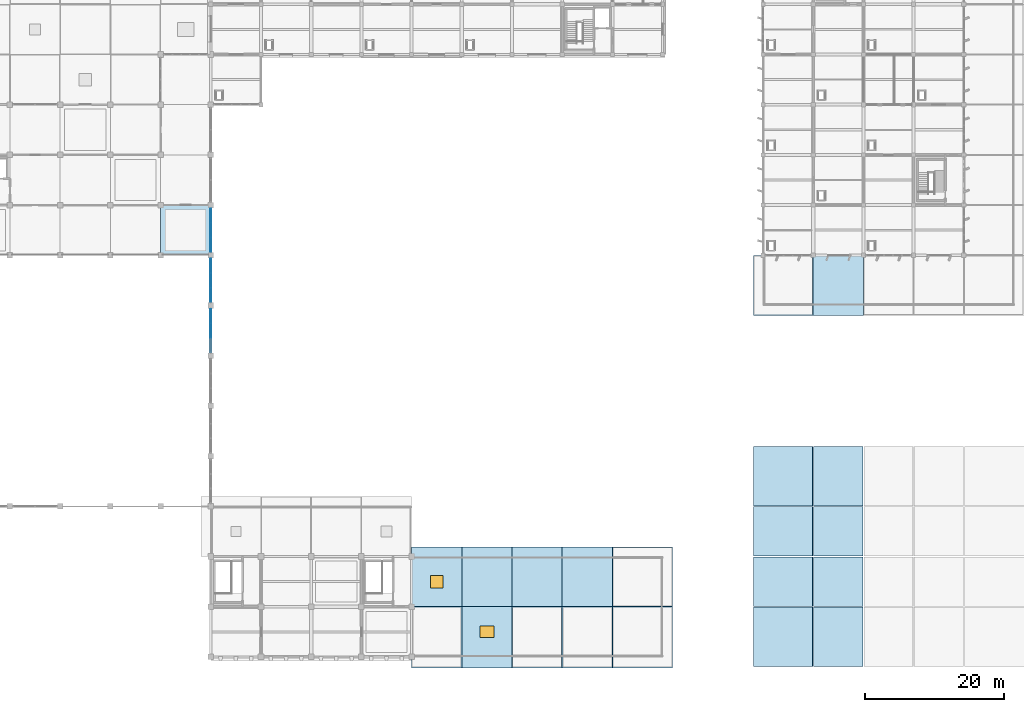
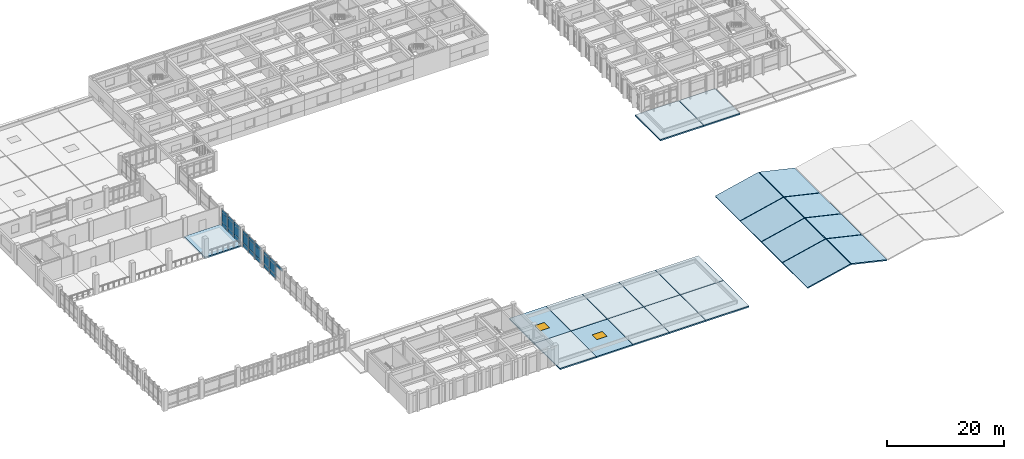
# One storey, part 34 of 62: 25 plates, 21 slabs, 2 windows, 2 openings, 3 elements without a shape of their own.
"""IFC4 building model written with IfcOpenShell, lengths in metres."""

from ifc_helpers import new_model, si_unit, direction, frame, origin, origin_2d, place, context, subcontext, project, spatial, polyline, rectangle, outline, extrude, material, layer, layer_set, type_object, element, fill, aggregate, save


model = new_model("IFC4")

# Units and contexts
model_context = context("Model", 3, precision=1e-05, world=origin(), true_north=direction((0.0, 1.0)))
body_context = subcontext(model_context, "Body", "Model", "MODEL_VIEW")
ifc_project = project(units=[si_unit("LENGTHUNIT", "METRE"), si_unit("AREAUNIT", "SQUARE_METRE"), si_unit("VOLUMEUNIT", "CUBIC_METRE"), si_unit("PLANEANGLEUNIT", "RADIAN"), si_unit("MASSUNIT", "GRAM", prefix="KILO")], contexts=[model_context])

# Site, building, storey
site_placement = place(None, origin())
site = spatial("IfcSite", under=ifc_project, at=site_placement, CompositionType="ELEMENT")
building_placement = place(site_placement, origin())
building = spatial("IfcBuilding", under=site, at=building_placement, Name="Kavelor Marine Aquarium", CompositionType="ELEMENT")
storey_placement = place(building_placement, frame((0.0, 0.0, 13.5)))
storey = spatial("IfcBuildingStorey", under=building, at=storey_placement, Name="L03", CompositionType="ELEMENT", Elevation=13.5)

# Curtain wall, plates
ifc_material_1 = material(Name="Thermally Broken Aluminium and Low-E Glass", Category="aluminium")
ifc_layer_1 = layer(ifc_material_1, 0.300048828125)
ifc_layer_set_1 = layer_set([ifc_layer_1], Name="CW-SYS20")
curtain_wall_type_1 = type_object("IfcCurtainWallType", Name="CW-SYS20", PredefinedType="USERDEFINED", material=ifc_layer_set_1)
curtain_wall_1_placement = place(storey_placement, origin())
curtain_wall_1 = element("IfcCurtainWall", 1, at=curtain_wall_1_placement, inside=storey, type_object=curtain_wall_type_1, Name="cw:y:L03:05_06", ObjectType="Curtain Wall", PredefinedType="USERDEFINED")
ifc_material_2 = material(Name="Laminated Cast Acrylic Viewing Glazing", Category="glass")
ifc_layer_2 = layer(ifc_material_2, 0.087890625)
ifc_layer_set_2 = layer_set([ifc_layer_2], Name="CWP-32")
plate_type_1 = type_object("IfcPlateType", Name="CWP-32", PredefinedType="CURTAIN_PANEL", material=ifc_layer_set_2)
plate_1_placement = place(storey_placement, frame((39.199951171875, 47.512939453125, 2.91259765625), z_axis=(0.0, 0.0, 1.0), x_axis=(0.0, 1.0, 0.0)))
plate_1 = element("IfcPlate", 2, at=plate_1_placement, type_object=plate_type_1, Name="CW20 panel 1.3", PredefinedType="CURTAIN_PANEL", context=body_context, shape_type="SweptSolid", body=[
    extrude(rectangle(XDim=2.005859375, YDim=0.087890625, at=origin_2d()), origin(), (0.0, 0.0, 1.0), 0.552490234375),
])
plate_2_placement = place(storey_placement, frame((39.199951171875, 49.60009765625, 0.06494140625), z_axis=(0.0, 0.0, 1.0), x_axis=(0.0, 1.0, 0.0)))
plate_2 = element("IfcPlate", 3, at=plate_2_placement, type_object=plate_type_1, Name="CW20 panel 2.1", PredefinedType="CURTAIN_PANEL", context=body_context, shape_type="SweptSolid", body=[
    extrude(rectangle(XDim=2.038330078125, YDim=0.087890625, at=origin_2d()), origin(), (0.0, 0.0, 1.0), 0.802490234375),
])
plate_3_placement = place(storey_placement, frame((39.199951171875, 49.60009765625, 0.932373046875), z_axis=(0.0, 0.0, 1.0), x_axis=(0.0, 1.0, 0.0)))
plate_3 = element("IfcPlate", 4, at=plate_3_placement, type_object=plate_type_1, Name="CW20 panel 2.2", PredefinedType="CURTAIN_PANEL", context=body_context, shape_type="SweptSolid", body=[
    extrude(rectangle(XDim=2.038330078125, YDim=0.087890625, at=origin_2d()), origin(), (0.0, 0.0, 1.0), 1.9150390625),
])
plate_4_placement = place(storey_placement, frame((39.199951171875, 49.60009765625, 2.91259765625), z_axis=(0.0, 0.0, 1.0), x_axis=(0.0, 1.0, 0.0)))
plate_4 = element("IfcPlate", 5, at=plate_4_placement, type_object=plate_type_1, Name="CW20 panel 2.3", PredefinedType="CURTAIN_PANEL", context=body_context, shape_type="SweptSolid", body=[
    extrude(rectangle(XDim=2.038330078125, YDim=0.087890625, at=origin_2d()), origin(), (0.0, 0.0, 1.0), 0.552490234375),
])
plate_5_placement = place(storey_placement, frame((39.199951171875, 51.68701171875, 0.06494140625), z_axis=(0.0, 0.0, 1.0), x_axis=(0.0, 1.0, 0.0)))
plate_5 = element("IfcPlate", 6, at=plate_5_placement, type_object=plate_type_1, Name="CW20 panel 3.1", PredefinedType="CURTAIN_PANEL", context=body_context, shape_type="SweptSolid", body=[
    extrude(rectangle(XDim=2.005859375, YDim=0.087890625, at=origin_2d()), origin(), (0.0, 0.0, 1.0), 0.802490234375),
])
plate_6_placement = place(storey_placement, frame((39.199951171875, 51.68701171875, 0.932373046875), z_axis=(0.0, 0.0, 1.0), x_axis=(0.0, 1.0, 0.0)))
plate_6 = element("IfcPlate", 7, at=plate_6_placement, type_object=plate_type_1, Name="CW20 panel 3.2", PredefinedType="CURTAIN_PANEL", context=body_context, shape_type="SweptSolid", body=[
    extrude(rectangle(XDim=2.005859375, YDim=0.087890625, at=origin_2d()), origin(), (0.0, 0.0, 1.0), 1.9150390625),
])
plate_7_placement = place(storey_placement, frame((39.199951171875, 51.68701171875, 2.91259765625), z_axis=(0.0, 0.0, 1.0), x_axis=(0.0, 1.0, 0.0)))
plate_7 = element("IfcPlate", 8, at=plate_7_placement, type_object=plate_type_1, Name="CW20 panel 3.3", PredefinedType="CURTAIN_PANEL", context=body_context, shape_type="SweptSolid", body=[
    extrude(rectangle(XDim=2.005859375, YDim=0.087890625, at=origin_2d()), origin(), (0.0, 0.0, 1.0), 0.552490234375),
])
aggregate(curtain_wall_1, [plate_1, plate_2, plate_3, plate_4, plate_5, plate_6, plate_7])

ifc_material_3 = material(Name="Thermally Broken Aluminium and Low-E Glass", Category="aluminium")
ifc_layer_3 = layer(ifc_material_3, 0.30810546875)
ifc_layer_set_3 = layer_set([ifc_layer_3], Name="CW-SYS21")
curtain_wall_type_2 = type_object("IfcCurtainWallType", Name="CW-SYS21", PredefinedType="USERDEFINED", material=ifc_layer_set_3)
curtain_wall_2_placement = place(storey_placement, origin())
curtain_wall_2 = element("IfcCurtainWall", 9, at=curtain_wall_2_placement, inside=storey, type_object=curtain_wall_type_2, Name="cw:y:L03:05_07", ObjectType="Curtain Wall", PredefinedType="USERDEFINED")
ifc_material_4 = material(Name="Laminated Cast Acrylic Viewing Glazing", Category="glass")
ifc_layer_4 = layer(ifc_material_4, 0.090087890625)
ifc_layer_set_4 = layer_set([ifc_layer_4], Name="CWP-33")
plate_type_2 = type_object("IfcPlateType", Name="CWP-33", PredefinedType="CURTAIN_PANEL", material=ifc_layer_set_4)
plate_8_placement = place(storey_placement, frame((39.199951171875, 54.711669921875, 0.06494140625), z_axis=(0.0, 0.0, 1.0), x_axis=(0.0, 1.0, 0.0)))
plate_8 = element("IfcPlate", 10, at=plate_8_placement, type_object=plate_type_2, Name="CW21 panel 1.1", PredefinedType="CURTAIN_PANEL", context=body_context, shape_type="SweptSolid", body=[
    extrude(rectangle(XDim=2.013427734375, YDim=0.090087890625, at=origin_2d()), origin(), (0.0, 0.0, 1.0), 0.802490234375),
])
plate_9_placement = place(storey_placement, frame((39.199951171875, 54.711669921875, 0.932373046875), z_axis=(0.0, 0.0, 1.0), x_axis=(0.0, 1.0, 0.0)))
plate_9 = element("IfcPlate", 11, at=plate_9_placement, type_object=plate_type_2, Name="CW21 panel 1.2", PredefinedType="CURTAIN_PANEL", context=body_context, shape_type="SweptSolid", body=[
    extrude(rectangle(XDim=2.013427734375, YDim=0.090087890625, at=origin_2d()), origin(), (0.0, 0.0, 1.0), 1.9150390625),
])
plate_10_placement = place(storey_placement, frame((39.199951171875, 54.711669921875, 2.91259765625), z_axis=(0.0, 0.0, 1.0), x_axis=(0.0, 1.0, 0.0)))
plate_10 = element("IfcPlate", 12, at=plate_10_placement, type_object=plate_type_2, Name="CW21 panel 1.3", PredefinedType="CURTAIN_PANEL", context=body_context, shape_type="SweptSolid", body=[
    extrude(rectangle(XDim=2.013427734375, YDim=0.090087890625, at=origin_2d()), origin(), (0.0, 0.0, 1.0), 0.552490234375),
])
plate_11_placement = place(storey_placement, frame((39.199951171875, 56.800048828125, 0.06494140625), z_axis=(0.0, 0.0, 1.0), x_axis=(0.0, 1.0, 0.0)))
plate_11 = element("IfcPlate", 13, at=plate_11_placement, type_object=plate_type_2, Name="CW21 panel 2.1", PredefinedType="CURTAIN_PANEL", context=body_context, shape_type="SweptSolid", body=[
    extrude(rectangle(XDim=2.043212890625, YDim=0.090087890625, at=origin_2d()), origin(), (0.0, 0.0, 1.0), 0.802490234375),
])
plate_12_placement = place(storey_placement, frame((39.199951171875, 56.800048828125, 0.932373046875), z_axis=(0.0, 0.0, 1.0), x_axis=(0.0, 1.0, 0.0)))
plate_12 = element("IfcPlate", 14, at=plate_12_placement, type_object=plate_type_2, Name="CW21 panel 2.2", PredefinedType="CURTAIN_PANEL", context=body_context, shape_type="SweptSolid", body=[
    extrude(rectangle(XDim=2.043212890625, YDim=0.090087890625, at=origin_2d()), origin(), (0.0, 0.0, 1.0), 1.9150390625),
])
plate_13_placement = place(storey_placement, frame((39.199951171875, 56.800048828125, 2.91259765625), z_axis=(0.0, 0.0, 1.0), x_axis=(0.0, 1.0, 0.0)))
plate_13 = element("IfcPlate", 15, at=plate_13_placement, type_object=plate_type_2, Name="CW21 panel 2.3", PredefinedType="CURTAIN_PANEL", context=body_context, shape_type="SweptSolid", body=[
    extrude(rectangle(XDim=2.043212890625, YDim=0.090087890625, at=origin_2d()), origin(), (0.0, 0.0, 1.0), 0.552490234375),
])
plate_14_placement = place(storey_placement, frame((39.199951171875, 58.888427734375, 0.06494140625), z_axis=(0.0, 0.0, 1.0), x_axis=(0.0, 1.0, 0.0)))
plate_14 = element("IfcPlate", 16, at=plate_14_placement, type_object=plate_type_2, Name="CW21 panel 3.1", PredefinedType="CURTAIN_PANEL", context=body_context, shape_type="SweptSolid", body=[
    extrude(rectangle(XDim=2.013427734375, YDim=0.090087890625, at=origin_2d()), origin(), (0.0, 0.0, 1.0), 0.802490234375),
])
plate_15_placement = place(storey_placement, frame((39.199951171875, 58.888427734375, 0.932373046875), z_axis=(0.0, 0.0, 1.0), x_axis=(0.0, 1.0, 0.0)))
plate_15 = element("IfcPlate", 17, at=plate_15_placement, type_object=plate_type_2, Name="CW21 panel 3.2", PredefinedType="CURTAIN_PANEL", context=body_context, shape_type="SweptSolid", body=[
    extrude(rectangle(XDim=2.013427734375, YDim=0.090087890625, at=origin_2d()), origin(), (0.0, 0.0, 1.0), 1.9150390625),
])
plate_16_placement = place(storey_placement, frame((39.199951171875, 58.888427734375, 2.91259765625), z_axis=(0.0, 0.0, 1.0), x_axis=(0.0, 1.0, 0.0)))
plate_16 = element("IfcPlate", 18, at=plate_16_placement, type_object=plate_type_2, Name="CW21 panel 3.3", PredefinedType="CURTAIN_PANEL", context=body_context, shape_type="SweptSolid", body=[
    extrude(rectangle(XDim=2.013427734375, YDim=0.090087890625, at=origin_2d()), origin(), (0.0, 0.0, 1.0), 0.552490234375),
])
aggregate(curtain_wall_2, [plate_8, plate_9, plate_10, plate_11, plate_12, plate_13, plate_14, plate_15, plate_16])

ifc_material_5 = material(Name="Thermally Broken Aluminium and Low-E Glass", Category="aluminium")
ifc_layer_5 = layer(ifc_material_5, 0.31591796875)
ifc_layer_set_5 = layer_set([ifc_layer_5], Name="CW-SYS22")
curtain_wall_type_3 = type_object("IfcCurtainWallType", Name="CW-SYS22", PredefinedType="USERDEFINED", material=ifc_layer_set_5)
curtain_wall_3_placement = place(storey_placement, origin())
curtain_wall_3 = element("IfcCurtainWall", 19, at=curtain_wall_3_placement, inside=storey, type_object=curtain_wall_type_3, Name="cw:y:L03:05_08", ObjectType="Curtain Wall", PredefinedType="USERDEFINED")
ifc_material_6 = material(Name="Laminated Cast Acrylic Viewing Glazing", Category="glass")
ifc_layer_6 = layer(ifc_material_6, 0.092041015625)
ifc_layer_set_6 = layer_set([ifc_layer_6], Name="CWP-34")
plate_type_3 = type_object("IfcPlateType", Name="CWP-34", PredefinedType="CURTAIN_PANEL", material=ifc_layer_set_6)
plate_17_placement = place(storey_placement, frame((39.199951171875, 61.91552734375, 0.06005859375), z_axis=(0.0, 0.0, 1.0), x_axis=(0.0, 1.0, 0.0)))
plate_17 = element("IfcPlate", 20, at=plate_17_placement, type_object=plate_type_3, Name="CW22 panel 1.1", PredefinedType="CURTAIN_PANEL", context=body_context, shape_type="SweptSolid", body=[
    extrude(rectangle(XDim=1.99072265625, YDim=0.092041015625, at=origin_2d()), origin(), (0.0, 0.0, 1.0), 0.81005859375),
])
plate_18_placement = place(storey_placement, frame((39.199951171875, 61.91552734375, 0.929931640625), z_axis=(0.0, 0.0, 1.0), x_axis=(0.0, 1.0, 0.0)))
plate_18 = element("IfcPlate", 21, at=plate_18_placement, type_object=plate_type_3, Name="CW22 panel 1.2", PredefinedType="CURTAIN_PANEL", context=body_context, shape_type="SweptSolid", body=[
    extrude(rectangle(XDim=1.99072265625, YDim=0.092041015625, at=origin_2d()), origin(), (0.0, 0.0, 1.0), 1.919921875),
])
plate_19_placement = place(storey_placement, frame((39.199951171875, 61.91552734375, 2.909912109375), z_axis=(0.0, 0.0, 1.0), x_axis=(0.0, 1.0, 0.0)))
plate_19 = element("IfcPlate", 22, at=plate_19_placement, type_object=plate_type_3, Name="CW22 panel 1.3", PredefinedType="CURTAIN_PANEL", context=body_context, shape_type="SweptSolid", body=[
    extrude(rectangle(XDim=1.99072265625, YDim=0.092041015625, at=origin_2d()), origin(), (0.0, 0.0, 1.0), 0.56005859375),
])
plate_20_placement = place(storey_placement, frame((39.199951171875, 64.0, 0.06005859375), z_axis=(0.0, 0.0, 1.0), x_axis=(0.0, 1.0, 0.0)))
plate_20 = element("IfcPlate", 23, at=plate_20_placement, type_object=plate_type_3, Name="CW22 panel 2.1", PredefinedType="CURTAIN_PANEL", context=body_context, shape_type="SweptSolid", body=[
    extrude(rectangle(XDim=2.0283203125, YDim=0.092041015625, at=origin_2d()), origin(), (0.0, 0.0, 1.0), 0.81005859375),
])
plate_21_placement = place(storey_placement, frame((39.199951171875, 64.0, 0.929931640625), z_axis=(0.0, 0.0, 1.0), x_axis=(0.0, 1.0, 0.0)))
plate_21 = element("IfcPlate", 24, at=plate_21_placement, type_object=plate_type_3, Name="CW22 panel 2.2", PredefinedType="CURTAIN_PANEL", context=body_context, shape_type="SweptSolid", body=[
    extrude(rectangle(XDim=2.0283203125, YDim=0.092041015625, at=origin_2d()), origin(), (0.0, 0.0, 1.0), 1.919921875),
])
plate_22_placement = place(storey_placement, frame((39.199951171875, 64.0, 2.909912109375), z_axis=(0.0, 0.0, 1.0), x_axis=(0.0, 1.0, 0.0)))
plate_22 = element("IfcPlate", 25, at=plate_22_placement, type_object=plate_type_3, Name="CW22 panel 2.3", PredefinedType="CURTAIN_PANEL", context=body_context, shape_type="SweptSolid", body=[
    extrude(rectangle(XDim=2.0283203125, YDim=0.092041015625, at=origin_2d()), origin(), (0.0, 0.0, 1.0), 0.56005859375),
])
plate_23_placement = place(storey_placement, frame((39.199951171875, 66.08447265625, 0.06005859375), z_axis=(0.0, 0.0, 1.0), x_axis=(0.0, 1.0, 0.0)))
plate_23 = element("IfcPlate", 26, at=plate_23_placement, type_object=plate_type_3, Name="CW22 panel 3.1", PredefinedType="CURTAIN_PANEL", context=body_context, shape_type="SweptSolid", body=[
    extrude(rectangle(XDim=1.99072265625, YDim=0.092041015625, at=origin_2d()), origin(), (0.0, 0.0, 1.0), 0.81005859375),
])
plate_24_placement = place(storey_placement, frame((39.199951171875, 66.08447265625, 0.929931640625), z_axis=(0.0, 0.0, 1.0), x_axis=(0.0, 1.0, 0.0)))
plate_24 = element("IfcPlate", 27, at=plate_24_placement, type_object=plate_type_3, Name="CW22 panel 3.2", PredefinedType="CURTAIN_PANEL", context=body_context, shape_type="SweptSolid", body=[
    extrude(rectangle(XDim=1.99072265625, YDim=0.092041015625, at=origin_2d()), origin(), (0.0, 0.0, 1.0), 1.919921875),
])
plate_25_placement = place(storey_placement, frame((39.199951171875, 66.08447265625, 2.909912109375), z_axis=(0.0, 0.0, 1.0), x_axis=(0.0, 1.0, 0.0)))
plate_25 = element("IfcPlate", 28, at=plate_25_placement, type_object=plate_type_3, Name="CW22 panel 3.3", PredefinedType="CURTAIN_PANEL", context=body_context, shape_type="SweptSolid", body=[
    extrude(rectangle(XDim=1.99072265625, YDim=0.092041015625, at=origin_2d()), origin(), (0.0, 0.0, 1.0), 0.56005859375),
])
aggregate(curtain_wall_3, [plate_17, plate_18, plate_19, plate_20, plate_21, plate_22, plate_23, plate_24, plate_25])

# Slabs
ifc_material_7 = material(Name="Concrete C40/50", Category="concrete")
ifc_layer_7 = layer(ifc_material_7, 0.300048828125)
ifc_layer_set_7 = layer_set([ifc_layer_7], Name="SL-FL1")
slab_type_1 = type_object("IfcSlabType", Name="SL-FL1", PredefinedType="FLOOR", material=ifc_layer_set_7)
slab_1_placement = place(storey_placement, frame((0.0, 0.0, -0.300048828125)))
element("IfcSlab", 29, at=slab_1_placement, inside=storey, type_object=slab_type_1, Name="slab:L03:04_08", PredefinedType="FLOOR", context=body_context, shape_type="SweptSolid", body=[
    extrude(outline(polyline([(32.0, 60.39990234375), (39.199951171875, 60.39990234375), (39.199951171875, 67.60009765625), (32.0, 67.60009765625), (32.0, 60.39990234375)])), origin(), (0.0, 0.0, 1.0), 0.300048828125),
])
ifc_material_8 = material(Name="Concrete C40/50", Category="concrete")
ifc_layer_8 = layer(ifc_material_8, 0.280029296875)
ifc_layer_set_8 = layer_set([ifc_layer_8], Name="SL-RF1")
slab_type_2 = type_object("IfcSlabType", Name="SL-RF1", PredefinedType="ROOF", material=ifc_layer_set_8)
slab_2_placement = place(storey_placement, frame((0.0, 0.0, -0.280029296875)))
element("IfcSlab", 30, at=slab_2_placement, inside=storey, type_object=slab_type_2, Name="roof:L03:09_00", PredefinedType="ROOF", context=body_context, shape_type="SweptSolid", body=[
    extrude(outline(polyline([(68.0, 1.239990234375), (75.199951171875, 1.239990234375), (75.199951171875, 10.0), (68.0, 10.0), (68.0, 1.239990234375)])), origin(), (0.0, 0.0, 1.0), 0.280029296875),
])

# Slab, opening, window
slab_3_placement = place(storey_placement, frame((0.0, 0.0, -0.280029296875)))
slab_3 = element("IfcSlab", 31, at=slab_3_placement, inside=storey, type_object=slab_type_2, Name="roof:L03:09_01", PredefinedType="ROOF", context=body_context, shape_type="SweptSolid", body=[
    extrude(outline(polyline([(68.0, 10.0), (75.199951171875, 10.0), (75.199951171875, 18.60009765625), (68.0, 18.60009765625), (68.0, 10.0)])), origin(), (0.0, 0.0, 1.0), 0.280029296875),
])
opening_1_placement = place(slab_3_placement, frame((71.60009765625, 13.60009765625, 0.0)))
opening_1 = element("IfcOpeningElement", 32, at=opening_1_placement, cuts=slab_3, Name="Opening SK3", PredefinedType="OPENING", context=body_context, shape_type="SweptSolid", body=[
    extrude(rectangle(XDim=1.800048828125, YDim=1.800048828125, at=origin_2d()), origin(), (0.0, 0.0, 1.0), 0.280029296875),
])
ifc_material_9 = material(Name="Thermally Broken Aluminium Roof Skylight", Category="aluminium")
window_type_1 = type_object("IfcWindowType", Name="SKY-SK3", PartitioningType="SINGLE_PANEL", PredefinedType="SKYLIGHT", material=ifc_material_9)
window_1_placement = place(opening_1_placement, frame((0.0, 0.0, 0.22998046875)))
window_1 = element("IfcWindow", 33, at=window_1_placement, inside=storey, type_object=window_type_1, Name="sky:L03:09_01", OverallHeight=1.800048828125, OverallWidth=1.800048828125, PartitioningType="SINGLE_PANEL", PredefinedType="SKYLIGHT", context=body_context, shape_type="SweptSolid", body=[
    extrude(rectangle(XDim=1.800048828125, YDim=1.800048828125, at=origin_2d()), origin(), (0.0, 0.0, 1.0), 0.050048828125),
])
fill(opening_1, window_1)

slab_4_placement = place(storey_placement, frame((0.0, 0.0, -0.280029296875)))
slab_4 = element("IfcSlab", 34, at=slab_4_placement, inside=storey, type_object=slab_type_2, Name="roof:L03:10_00", PredefinedType="ROOF", context=body_context, shape_type="SweptSolid", body=[
    extrude(outline(polyline([(75.199951171875, 1.239990234375), (82.39990234375, 1.239990234375), (82.39990234375, 10.0), (75.199951171875, 10.0), (75.199951171875, 1.239990234375)])), origin(), (0.0, 0.0, 1.0), 0.280029296875),
])
opening_2_placement = place(slab_4_placement, frame((78.800048828125, 6.39990234375, 0.0)))
opening_2 = element("IfcOpeningElement", 35, at=opening_2_placement, cuts=slab_4, Name="Opening SK4", PredefinedType="OPENING", context=body_context, shape_type="SweptSolid", body=[
    extrude(rectangle(XDim=2.0, YDim=1.60009765625, at=origin_2d()), origin(), (0.0, 0.0, 1.0), 0.280029296875),
])
ifc_material_10 = material(Name="Thermally Broken Aluminium Roof Skylight", Category="aluminium")
window_type_2 = type_object("IfcWindowType", Name="SKY-SK4", PartitioningType="SINGLE_PANEL", PredefinedType="SKYLIGHT", material=ifc_material_10)
window_2_placement = place(opening_2_placement, frame((0.0, 0.0, 0.22998046875)))
window_2 = element("IfcWindow", 36, at=window_2_placement, inside=storey, type_object=window_type_2, Name="sky:L03:10_00", OverallHeight=1.60009765625, OverallWidth=2.0, PartitioningType="SINGLE_PANEL", PredefinedType="SKYLIGHT", context=body_context, shape_type="SweptSolid", body=[
    extrude(rectangle(XDim=2.0, YDim=1.60009765625, at=origin_2d()), origin(), (0.0, 0.0, 1.0), 0.050048828125),
])
fill(opening_2, window_2)

# Slabs
slab_5_placement = place(storey_placement, frame((0.0, 0.0, -0.280029296875)))
element("IfcSlab", 37, at=slab_5_placement, inside=storey, type_object=slab_type_2, Name="roof:L03:10_01", PredefinedType="ROOF", context=body_context, shape_type="SweptSolid", body=[
    extrude(outline(polyline([(75.199951171875, 10.0), (82.39990234375, 10.0), (82.39990234375, 18.60009765625), (75.199951171875, 18.60009765625), (75.199951171875, 10.0)])), origin(), (0.0, 0.0, 1.0), 0.280029296875),
])
slab_6_placement = place(storey_placement, frame((0.0, 0.0, -0.280029296875)))
element("IfcSlab", 38, at=slab_6_placement, inside=storey, type_object=slab_type_2, Name="roof:L03:11_00", PredefinedType="ROOF", context=body_context, shape_type="SweptSolid", body=[
    extrude(outline(polyline([(82.39990234375, 1.239990234375), (89.60009765625, 1.239990234375), (89.60009765625, 10.0), (82.39990234375, 10.0), (82.39990234375, 1.239990234375)])), origin(), (0.0, 0.0, 1.0), 0.280029296875),
])
slab_7_placement = place(storey_placement, frame((0.0, 0.0, -0.280029296875)))
element("IfcSlab", 39, at=slab_7_placement, inside=storey, type_object=slab_type_2, Name="roof:L03:11_01", PredefinedType="ROOF", context=body_context, shape_type="SweptSolid", body=[
    extrude(outline(polyline([(82.39990234375, 10.0), (89.60009765625, 10.0), (89.60009765625, 18.60009765625), (82.39990234375, 18.60009765625), (82.39990234375, 10.0)])), origin(), (0.0, 0.0, 1.0), 0.280029296875),
])
slab_8_placement = place(storey_placement, frame((0.0, 0.0, -0.280029296875)))
element("IfcSlab", 40, at=slab_8_placement, inside=storey, type_object=slab_type_2, Name="roof:L03:12_00", PredefinedType="ROOF", context=body_context, shape_type="SweptSolid", body=[
    extrude(outline(polyline([(89.60009765625, 1.239990234375), (96.800048828125, 1.239990234375), (96.800048828125, 10.0), (89.60009765625, 10.0), (89.60009765625, 1.239990234375)])), origin(), (0.0, 0.0, 1.0), 0.280029296875),
])
slab_9_placement = place(storey_placement, frame((0.0, 0.0, -0.280029296875)))
element("IfcSlab", 41, at=slab_9_placement, inside=storey, type_object=slab_type_2, Name="roof:L03:12_01", PredefinedType="ROOF", context=body_context, shape_type="SweptSolid", body=[
    extrude(outline(polyline([(89.60009765625, 10.0), (96.800048828125, 10.0), (96.800048828125, 18.60009765625), (89.60009765625, 18.60009765625), (89.60009765625, 10.0)])), origin(), (0.0, 0.0, 1.0), 0.280029296875),
])
slab_10_placement = place(storey_placement, frame((0.0, 0.0, -0.280029296875)))
element("IfcSlab", 42, at=slab_10_placement, inside=storey, type_object=slab_type_2, Name="roof:L03:13_00", PredefinedType="ROOF", context=body_context, shape_type="SweptSolid", body=[
    extrude(outline(polyline([(96.800048828125, 1.239990234375), (105.39990234375, 1.239990234375), (105.39990234375, 10.0), (96.800048828125, 10.0), (96.800048828125, 1.239990234375)])), origin(), (0.0, 0.0, 1.0), 0.280029296875),
])
slab_11_placement = place(storey_placement, frame((0.0, 0.0, -0.280029296875)))
element("IfcSlab", 43, at=slab_11_placement, inside=storey, type_object=slab_type_2, Name="roof:L03:13_01", PredefinedType="ROOF", context=body_context, shape_type="SweptSolid", body=[
    extrude(outline(polyline([(96.800048828125, 10.0), (105.39990234375, 10.0), (105.39990234375, 18.60009765625), (96.800048828125, 18.60009765625), (96.800048828125, 10.0)])), origin(), (0.0, 0.0, 1.0), 0.280029296875),
])
slab_12_placement = place(storey_placement, frame((0.0, 0.0, -0.280029296875)))
element("IfcSlab", 44, at=slab_12_placement, inside=storey, type_object=slab_type_2, Name="roof:L03:16_07", PredefinedType="ROOF", context=body_context, shape_type="SweptSolid", body=[
    extrude(outline(polyline([(117.0, 51.800048828125), (125.60009765625, 51.800048828125), (125.60009765625, 60.39990234375), (117.0, 60.39990234375), (117.0, 51.800048828125)])), origin(), (0.0, 0.0, 1.0), 0.280029296875),
])
slab_13_placement = place(storey_placement, frame((0.0, 0.0, -0.280029296875)))
element("IfcSlab", 45, at=slab_13_placement, inside=storey, type_object=slab_type_2, Name="roof:L03:17_07", PredefinedType="ROOF", context=body_context, shape_type="SweptSolid", body=[
    extrude(outline(polyline([(125.60009765625, 51.800048828125), (132.800048828125, 51.800048828125), (132.800048828125, 60.39990234375), (125.60009765625, 60.39990234375), (125.60009765625, 51.800048828125)])), origin(), (0.0, 0.0, 1.0), 0.280029296875),
])
ifc_material_11 = material(Name="Concrete C40/50", Category="concrete")
ifc_layer_9 = layer(ifc_material_11, 0.239990234375)
ifc_layer_set_9 = layer_set([ifc_layer_9], Name="SL-RF2")
slab_type_3 = type_object("IfcSlabType", Name="SL-RF2", PredefinedType="ROOF", material=ifc_layer_set_9)
slab_14_placement = place(storey_placement, frame((117.0, 1.39990234375, -0.3232421875), z_axis=(-0.22496547948, 0.0, 0.974366734368), x_axis=(0.974366734368, 0.0, 0.22496547948)))
element("IfcSlab", 46, at=slab_14_placement, inside=storey, type_object=slab_type_3, Name="roof:L03:16_00", PredefinedType="ROOF", context=body_context, shape_type="SweptSolid", body=[
    extrude(outline(polyline([(0.0, 0.0), (8.749172198783777, 0.0), (8.749172198783777, 8.56005859375), (0.0, 8.56005859375), (0.0, 0.0)])), origin(), (0.0, 0.0, -1.0), 0.239990234375),
])
slab_15_placement = place(storey_placement, frame((117.0, 10.0400390625, -0.3232421875), z_axis=(-0.22496547948, 0.0, 0.974366734368), x_axis=(0.974366734368, 0.0, 0.22496547948)))
element("IfcSlab", 47, at=slab_15_placement, inside=storey, type_object=slab_type_3, Name="roof:L03:16_01", PredefinedType="ROOF", context=body_context, shape_type="SweptSolid", body=[
    extrude(outline(polyline([(0.0, 0.0), (8.749172198783777, 0.0), (8.749172198783777, 7.119873046874999), (0.0, 7.119873046874999), (0.0, 0.0)])), origin(), (0.0, 0.0, -1.0), 0.239990234375),
])
slab_16_placement = place(storey_placement, frame((117.0, 17.239990234375, -0.3232421875), z_axis=(-0.22496547948, 0.0, 0.974366734368), x_axis=(0.974366734368, 0.0, 0.22496547948)))
element("IfcSlab", 48, at=slab_16_placement, inside=storey, type_object=slab_type_3, Name="roof:L03:16_02", PredefinedType="ROOF", context=body_context, shape_type="SweptSolid", body=[
    extrude(outline(polyline([(0.0, 0.0), (8.749172198783777, 0.0), (8.749172198783777, 7.1201171875), (0.0, 7.1201171875), (0.0, 0.0)])), origin(), (0.0, 0.0, -1.0), 0.239990234375),
])
slab_17_placement = place(storey_placement, frame((117.0, 24.43994140625, -0.3232421875), z_axis=(-0.22496547948, 0.0, 0.974366734368), x_axis=(0.974366734368, 0.0, 0.22496547948)))
element("IfcSlab", 49, at=slab_17_placement, inside=storey, type_object=slab_type_3, Name="roof:L03:16_03", PredefinedType="ROOF", context=body_context, shape_type="SweptSolid", body=[
    extrude(outline(polyline([(0.0, 0.0), (8.749172198783777, 0.0), (8.749172198783777, 8.56005859375), (0.0, 8.56005859375), (0.0, 0.0)])), origin(), (0.0, 0.0, -1.0), 0.239990234375),
])
slab_18_placement = place(storey_placement, frame((125.675048828125, 1.39990234375, 1.64501953125), z_axis=(0.224958077755, 0.0, 0.974368443276), x_axis=(0.974368443276, 0.0, -0.224958077755)))
element("IfcSlab", 50, at=slab_18_placement, inside=storey, type_object=slab_type_3, Name="roof:L03:17_00", PredefinedType="ROOF", context=body_context, shape_type="SweptSolid", body=[
    extrude(outline(polyline([(0.0, 0.0), (7.235506113497, 0.0), (7.235506113497, 8.560058593750002), (0.0, 8.560058593750002), (0.0, 0.0)])), origin(), (0.0, 0.0, -1.0), 0.239990234375),
])
slab_19_placement = place(storey_placement, frame((125.675048828125, 10.0400390625, 1.64501953125), z_axis=(0.224958077755, 0.0, 0.974368443276), x_axis=(0.974368443276, 0.0, -0.224958077755)))
element("IfcSlab", 51, at=slab_19_placement, inside=storey, type_object=slab_type_3, Name="roof:L03:17_01", PredefinedType="ROOF", context=body_context, shape_type="SweptSolid", body=[
    extrude(outline(polyline([(0.0, 0.0), (7.235506113497, 0.0), (7.235506113497, 7.119873046875), (0.0, 7.119873046875), (0.0, 0.0)])), origin(), (0.0, 0.0, -1.0), 0.239990234375),
])
slab_20_placement = place(storey_placement, frame((125.675048828125, 17.239990234375, 1.64501953125), z_axis=(0.224958077755, 0.0, 0.974368443276), x_axis=(0.974368443276, 0.0, -0.224958077755)))
element("IfcSlab", 52, at=slab_20_placement, inside=storey, type_object=slab_type_3, Name="roof:L03:17_02", PredefinedType="ROOF", context=body_context, shape_type="SweptSolid", body=[
    extrude(outline(polyline([(0.0, 0.0), (7.235506113497, 0.0), (7.235506113497, 7.1201171875), (0.0, 7.1201171875), (0.0, 0.0)])), origin(), (0.0, 0.0, -1.0), 0.239990234375),
])
slab_21_placement = place(storey_placement, frame((125.675048828125, 24.43994140625, 1.64501953125), z_axis=(0.224958077755, 0.0, 0.974368443276), x_axis=(0.974368443276, 0.0, -0.224958077755)))
element("IfcSlab", 53, at=slab_21_placement, inside=storey, type_object=slab_type_3, Name="roof:L03:17_03", PredefinedType="ROOF", context=body_context, shape_type="SweptSolid", body=[
    extrude(outline(polyline([(0.0, 0.0), (7.235506113497, 0.0), (7.235506113497, 8.560058593750002), (0.0, 8.560058593750002), (0.0, 0.0)])), origin(), (0.0, 0.0, -1.0), 0.239990234375),
])

save(model, "model.ifc")
